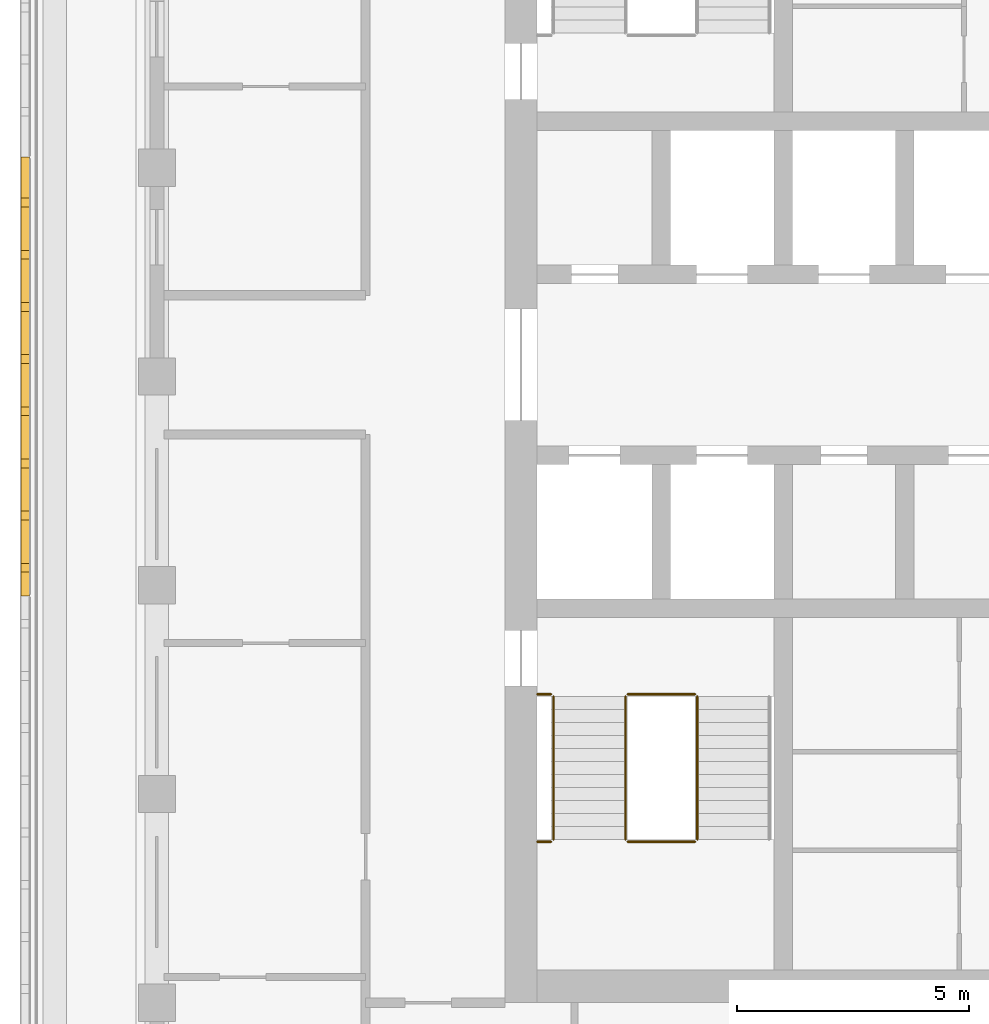
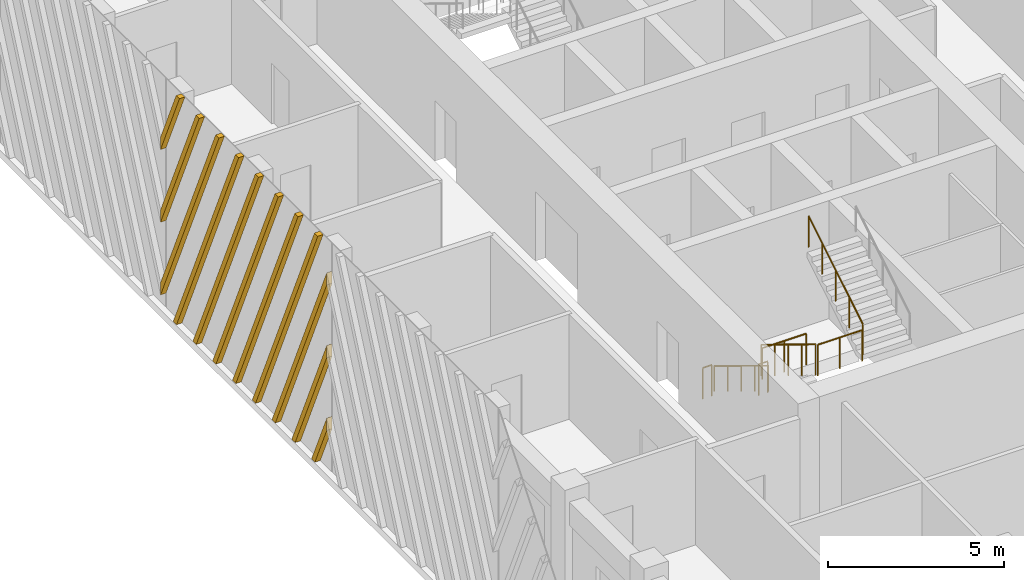
# One storey, part 10 of 17: 7 railings, 1 shading device.
"""IFC4 building model written with IfcOpenShell, lengths in metres."""

from ifc_helpers import new_model, si_unit, direction, frame, origin, origin_2d, place, context, subcontext, project, spatial, polyline, circle, outline, extrude, source, transform, mapped, material, type_object, element, save


model = new_model("IFC4")

# Units and contexts
model_context = context("Model", 3, precision=1e-05, world=origin(), true_north=direction((0.0, 1.0)))
body_context = subcontext(model_context, "Body", "Model", "MODEL_VIEW")
ifc_project = project(units=[si_unit("LENGTHUNIT", "METRE"), si_unit("AREAUNIT", "SQUARE_METRE"), si_unit("VOLUMEUNIT", "CUBIC_METRE"), si_unit("PLANEANGLEUNIT", "RADIAN"), si_unit("MASSUNIT", "GRAM", prefix="KILO")], contexts=[model_context])

# Site, building, storey
site_placement = place(None, origin())
site = spatial("IfcSite", under=ifc_project, at=site_placement, CompositionType="ELEMENT")
building_placement = place(site_placement, origin())
building = spatial("IfcBuilding", under=site, at=building_placement, Name="Corbel Stack Research Tower", CompositionType="ELEMENT")
storey_placement = place(building_placement, frame((0.0, 0.0, 248.0)))
storey = spatial("IfcBuildingStorey", under=building, at=storey_placement, Name="L56", CompositionType="ELEMENT", Elevation=248.0)

# Railings
ifc_material_1 = material(Name="Steel S355", Category="steel")
railing_type_1 = type_object("IfcRailingType", Name="Stair guard 1100", PredefinedType="GUARDRAIL", material=ifc_material_1)
railing_1_placement = place(storey_placement, frame((-7.89990234375, -2.39990234375, 0.1708984375)))
element("IfcRailing", 1, at=railing_1_placement, inside=storey, type_object=railing_type_1, Name="L56 ST-W1 stair guard 1", PredefinedType="GUARDRAIL", context=body_context, shape_type="SweptSolid", body=[
    extrude(circle(Radius=0.02392578125, at=origin_2d()), frame((0.0, 0.0, 1.076171875), z_axis=(0.0, -0.853666305674, 0.52082035152), x_axis=(1.0, 0.0, 0.0)), (0.0, 0.0, 1.0), 3.608154296875),
    extrude(circle(Radius=0.02099609375, at=origin_2d()), origin(), (0.0, 0.0, 1.0), 1.052001953125),
    extrude(circle(Radius=0.02099609375, at=origin_2d()), frame((0.0, -0.77001953125, 0.4697265625)), (0.0, 0.0, 1.0), 1.052001953125),
    extrude(circle(Radius=0.02099609375, at=origin_2d()), frame((0.0, -1.5400390625, 0.939453125)), (0.0, 0.0, 1.0), 1.052001953125),
    extrude(circle(Radius=0.02099609375, at=origin_2d()), frame((0.0, -2.31005859375, 1.409423828125)), (0.0, 0.0, 1.0), 1.052001953125),
    extrude(circle(Radius=0.02099609375, at=origin_2d()), frame((0.0, -3.080078125, 1.879150390625)), (0.0, 0.0, 1.0), 1.052001953125),
])
railing_2_placement = place(storey_placement, frame((-7.85009765625, -5.530029296875, 2.050048828125)))
element("IfcRailing", 2, at=railing_2_placement, inside=storey, type_object=railing_type_1, Name="L56 ST-W1 stair guard 2", PredefinedType="GUARDRAIL", context=body_context, shape_type="SweptSolid", body=[
    extrude(circle(Radius=0.02392578125, at=origin_2d()), frame((0.0, 0.0, 1.076171875), z_axis=(1.0, 0.0, 0.0), x_axis=(0.0, 1.0, 0.0)), (0.0, 0.0, 1.0), 1.4501953125),
    extrude(circle(Radius=0.02099609375, at=origin_2d()), origin(), (0.0, 0.0, 1.0), 1.052001953125),
    extrude(circle(Radius=0.02099609375, at=origin_2d()), frame((0.72509765625, 0.0, 0.0)), (0.0, 0.0, 1.0), 1.052001953125),
    extrude(circle(Radius=0.02099609375, at=origin_2d()), frame((1.4501953125, 0.0, 0.0)), (0.0, 0.0, 1.0), 1.052001953125),
])
railing_3_placement = place(storey_placement, frame((-9.800048828125, -5.530029296875, 2.050048828125)))
element("IfcRailing", 3, at=railing_3_placement, inside=storey, type_object=railing_type_1, Name="L56 ST-W1 stair guard 3", PredefinedType="GUARDRAIL", context=body_context, shape_type="SweptSolid", body=[
    extrude(circle(Radius=0.02392578125, at=origin_2d()), frame((0.0, 0.0, 1.076171875), z_axis=(1.0, 0.0, 0.0), x_axis=(0.0, 1.0, 0.0)), (0.0, 0.0, 1.0), 0.300048828125),
    extrude(circle(Radius=0.02099609375, at=origin_2d()), origin(), (0.0, 0.0, 1.0), 1.052001953125),
    extrude(circle(Radius=0.02099609375, at=origin_2d()), frame((0.300048828125, 0.0, 0.0)), (0.0, 0.0, 1.0), 1.052001953125),
])
railing_4_placement = place(storey_placement, frame((-6.35009765625, -5.47998046875, 2.220947265625)))
element("IfcRailing", 4, at=railing_4_placement, inside=storey, type_object=railing_type_1, Name="L56 ST-W1 stair guard 4", PredefinedType="GUARDRAIL", context=body_context, shape_type="SweptSolid", body=[
    extrude(circle(Radius=0.02392578125, at=origin_2d()), frame((0.0, 0.0, 1.076171875), z_axis=(0.0, 0.853666305674, 0.52082035152), x_axis=(-1.0, 0.0, 0.0)), (0.0, 0.0, 1.0), 3.608154296875),
    extrude(circle(Radius=0.02099609375, at=origin_2d()), origin(), (0.0, 0.0, 1.0), 1.052001953125),
    extrude(circle(Radius=0.02099609375, at=origin_2d()), frame((0.0, 0.77001953125, 0.4697265625)), (0.0, 0.0, 1.0), 1.052001953125),
    extrude(circle(Radius=0.02099609375, at=origin_2d()), frame((0.0, 1.5400390625, 0.939453125)), (0.0, 0.0, 1.0), 1.052001953125),
    extrude(circle(Radius=0.02099609375, at=origin_2d()), frame((0.0, 2.31005859375, 1.409423828125)), (0.0, 0.0, 1.0), 1.052001953125),
    extrude(circle(Radius=0.02099609375, at=origin_2d()), frame((0.0, 3.080078125, 1.879150390625)), (0.0, 0.0, 1.0), 1.052001953125),
])
railing_5_placement = place(storey_placement, frame((-7.85009765625, -2.35009765625, 0.0)))
element("IfcRailing", 5, at=railing_5_placement, inside=storey, type_object=railing_type_1, Name="L56 ST-W1 stair guard 5", PredefinedType="GUARDRAIL", context=body_context, shape_type="SweptSolid", body=[
    extrude(circle(Radius=0.02392578125, at=origin_2d()), frame((0.0, 0.0, 1.076171875), z_axis=(1.0, 0.0, 0.0), x_axis=(0.0, 1.0, 0.0)), (0.0, 0.0, 1.0), 1.4501953125),
    extrude(circle(Radius=0.02099609375, at=origin_2d()), origin(), (0.0, 0.0, 1.0), 1.052001953125),
    extrude(circle(Radius=0.02099609375, at=origin_2d()), frame((0.72509765625, 0.0, 0.0)), (0.0, 0.0, 1.0), 1.052001953125),
    extrude(circle(Radius=0.02099609375, at=origin_2d()), frame((1.4501953125, 0.0, 0.0)), (0.0, 0.0, 1.0), 1.052001953125),
])
railing_6_placement = place(storey_placement, frame((-9.800048828125, -2.35009765625, 0.0)))
element("IfcRailing", 6, at=railing_6_placement, inside=storey, type_object=railing_type_1, Name="L56 ST-W1 stair guard 6", PredefinedType="GUARDRAIL", context=body_context, shape_type="SweptSolid", body=[
    extrude(circle(Radius=0.02392578125, at=origin_2d()), frame((0.0, 0.0, 1.076171875), z_axis=(1.0, 0.0, 0.0), x_axis=(0.0, 1.0, 0.0)), (0.0, 0.0, 1.0), 0.300048828125),
    extrude(circle(Radius=0.02099609375, at=origin_2d()), origin(), (0.0, 0.0, 1.0), 1.052001953125),
    extrude(circle(Radius=0.02099609375, at=origin_2d()), frame((0.300048828125, 0.0, 0.0)), (0.0, 0.0, 1.0), 1.052001953125),
])
ifc_material_2 = material(Name="Steel S355", Category="steel")
railing_type_2 = type_object("IfcRailingType", Name="Stair handrail 900", PredefinedType="HANDRAIL", material=ifc_material_2)
railing_7_placement = place(storey_placement, frame((-9.449951171875, -2.39990234375, 0.1708984375)))
element("IfcRailing", 7, at=railing_7_placement, inside=storey, type_object=railing_type_2, Name="L56 ST-W1 stair handrail 1", PredefinedType="HANDRAIL", context=body_context, shape_type="SweptSolid", body=[
    extrude(circle(Radius=0.02392578125, at=origin_2d()), frame((0.0, 0.0, 0.8759765625), z_axis=(0.0, -0.853666305674, 0.52082035152), x_axis=(1.0, 0.0, 0.0)), (0.0, 0.0, 1.0), 3.608154296875),
    extrude(circle(Radius=0.02099609375, at=origin_2d()), origin(), (0.0, 0.0, 1.0), 0.851806640625),
    extrude(circle(Radius=0.02099609375, at=origin_2d()), frame((0.0, -0.77001953125, 0.4697265625)), (0.0, 0.0, 1.0), 0.851806640625),
    extrude(circle(Radius=0.02099609375, at=origin_2d()), frame((0.0, -1.5400390625, 0.939453125)), (0.0, 0.0, 1.0), 0.851806640625),
    extrude(circle(Radius=0.02099609375, at=origin_2d()), frame((0.0, -2.31005859375, 1.409423828125)), (0.0, 0.0, 1.0), 0.851806640625),
    extrude(circle(Radius=0.02099609375, at=origin_2d()), frame((0.0, -3.080078125, 1.879150390625)), (0.0, 0.0, 1.0), 0.851806640625),
])

# Shading device
ifc_material_3 = material(Name="Precast terracotta", Category="masonry")
shading_device_type = type_object("IfcShadingDeviceType", Name="Terracotta screen panel", PredefinedType="USERDEFINED", material=ifc_material_3)
shared_shape = source(origin(), body_context, "Body", "SweptSolid", [
    extrude(outline(polyline([(1.072998046875, 7.949951171875), (0.883056640625, 7.949951171875), (0.0, 5.966552734375), (0.0, 5.539794921875), (1.072998046875, 7.949951171875)])), frame((0.0, 0.0, 0.0), z_axis=(0.0, -1.0, 0.0), x_axis=(1.0, 0.0, 0.0)), (0.0, 0.0, 1.0), 0.179931640625),
    extrude(outline(polyline([(2.197998046875, 7.949951171875), (2.008056640625, 7.949951171875), (0.0, 3.439697265625), (0.0, 3.01318359375), (2.197998046875, 7.949951171875)])), frame((0.0, 0.0, 0.0), z_axis=(0.0, -1.0, 0.0), x_axis=(1.0, 0.0, 0.0)), (0.0, 0.0, 1.0), 0.179931640625),
    extrude(outline(polyline([(3.322998046875, 7.949951171875), (3.133056640625, 7.949951171875), (0.0, 0.9130859375), (0.0, 0.486328125), (3.322998046875, 7.949951171875)])), frame((0.0, 0.0, 0.0), z_axis=(0.0, -1.0, 0.0), x_axis=(1.0, 0.0, 0.0)), (0.0, 0.0, 1.0), 0.179931640625),
    extrude(outline(polyline([(0.908447265625, 0.0), (4.447998046875, 7.949951171875), (4.258056640625, 7.949951171875), (0.718505859375, 0.0), (0.908447265625, 0.0)])), frame((0.0, 0.0, 0.0), z_axis=(0.0, -1.0, 0.0), x_axis=(1.0, 0.0, 0.0)), (0.0, 0.0, 1.0), 0.179931640625),
    extrude(outline(polyline([(2.033447265625, 0.0), (5.572998046875, 7.949951171875), (5.383056640625, 7.949951171875), (1.843505859375, 0.0), (2.033447265625, 0.0)])), frame((0.0, 0.0, 0.0), z_axis=(0.0, -1.0, 0.0), x_axis=(1.0, 0.0, 0.0)), (0.0, 0.0, 1.0), 0.179931640625),
    extrude(outline(polyline([(3.158447265625, 0.0), (6.697998046875, 7.949951171875), (6.508056640625, 7.949951171875), (2.968505859375, 0.0), (3.158447265625, 0.0)])), frame((0.0, 0.0, 0.0), z_axis=(0.0, -1.0, 0.0), x_axis=(1.0, 0.0, 0.0)), (0.0, 0.0, 1.0), 0.179931640625),
    extrude(outline(polyline([(4.283447265625, 0.0), (7.822998046875, 7.949951171875), (7.633056640625, 7.949951171875), (4.093505859375, 0.0), (4.283447265625, 0.0)])), frame((0.0, 0.0, 0.0), z_axis=(0.0, -1.0, 0.0), x_axis=(1.0, 0.0, 0.0)), (0.0, 0.0, 1.0), 0.179931640625),
    extrude(outline(polyline([(5.408447265625, 0.0), (8.947998046875, 7.949951171875), (8.758056640625, 7.949951171875), (5.218505859375, 0.0), (5.408447265625, 0.0)])), frame((0.0, 0.0, 0.0), z_axis=(0.0, -1.0, 0.0), x_axis=(1.0, 0.0, 0.0)), (0.0, 0.0, 1.0), 0.179931640625),
    extrude(outline(polyline([(6.533447265625, 0.0), (9.45556640625, 6.563232421875), (9.45556640625, 6.989990234375), (6.343505859375, 0.0), (6.533447265625, 0.0)])), frame((0.0, 0.0, 0.0), z_axis=(0.0, -1.0, 0.0), x_axis=(1.0, 0.0, 0.0)), (0.0, 0.0, 1.0), 0.179931640625),
    extrude(outline(polyline([(7.658447265625, 0.0), (9.45556640625, 4.036376953125), (9.45556640625, 4.463134765625), (7.468505859375, 0.0), (7.658447265625, 0.0)])), frame((0.0, 0.0, 0.0), z_axis=(0.0, -1.0, 0.0), x_axis=(1.0, 0.0, 0.0)), (0.0, 0.0, 1.0), 0.179931640625),
    extrude(outline(polyline([(8.783447265625, 0.0), (9.45556640625, 1.509521484375), (9.45556640625, 1.936279296875), (8.593505859375, 0.0), (8.783447265625, 0.0)])), frame((0.0, 0.0, 0.0), z_axis=(0.0, -1.0, 0.0), x_axis=(1.0, 0.0, 0.0)), (0.0, 0.0, 1.0), 0.179931640625),
])
shading_device_placement = place(storey_placement, frame((-20.75, 9.227783203125, 0.0), z_axis=(0.0, 0.0, 1.0), x_axis=(0.0, -1.0, 0.0)))
element("IfcShadingDevice", 8, at=shading_device_placement, inside=storey, type_object=shading_device_type, Name="Terracotta screen L56 W3", ObjectType="SCREEN", PredefinedType="USERDEFINED", context=body_context, shape_type="MappedRepresentation", body=[
    mapped(shared_shape, transform((0.0, 0.0, 0.0))),
])

save(model, "model.ifc")
